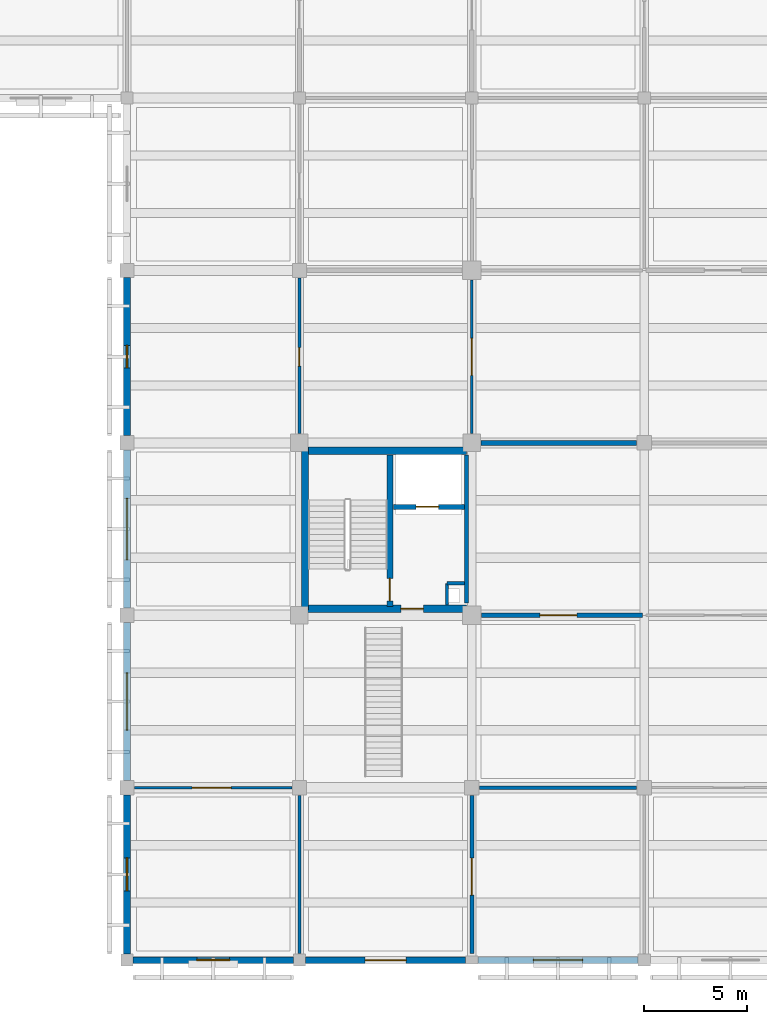
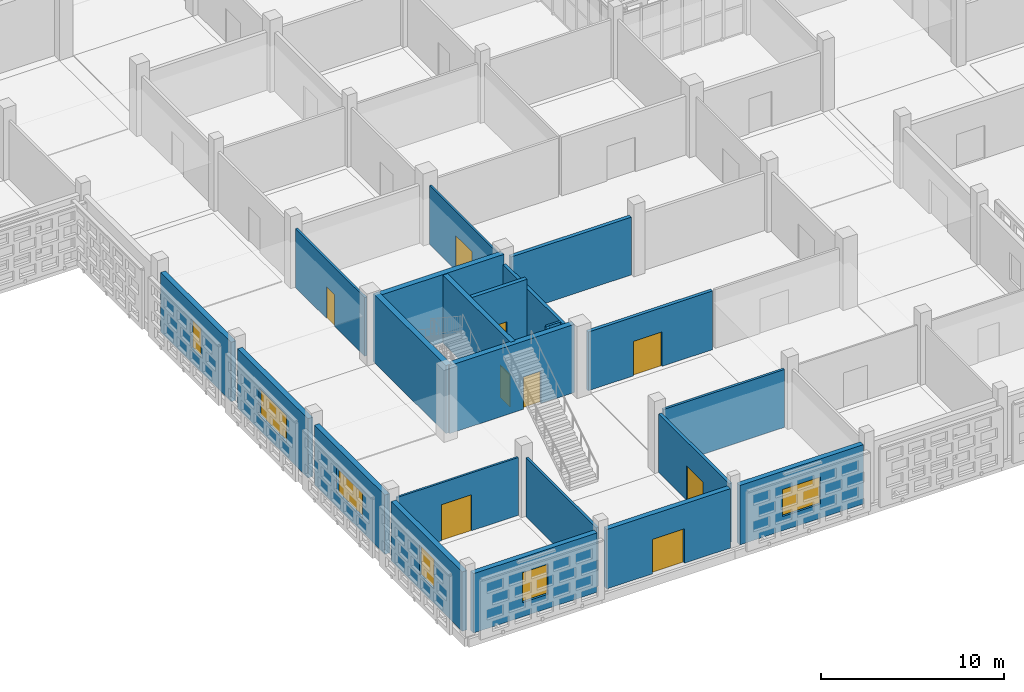
# One storey, part 57 of 129: 23 walls, 9 doors, 6 windows, 15 openings.
"""IFC4 building model written with IfcOpenShell, lengths in metres."""

from ifc_helpers import new_model, si_unit, direction, frame, frame_2d, origin, place, context, subcontext, project, spatial, rectangle, extrude, material, layer, layer_set, type_object, element, fill, save


model = new_model("IFC4")

# Units and contexts
model_context = context("Model", 3, precision=1e-05, world=origin(), true_north=direction((0.0, 1.0)))
body_context = subcontext(model_context, "Body", "Model", "MODEL_VIEW")
ifc_project = project(units=[si_unit("LENGTHUNIT", "METRE"), si_unit("AREAUNIT", "SQUARE_METRE"), si_unit("VOLUMEUNIT", "CUBIC_METRE"), si_unit("PLANEANGLEUNIT", "RADIAN"), si_unit("MASSUNIT", "GRAM", prefix="KILO")], contexts=[model_context])

# Site, building, storey
site_placement = place(None, origin())
site = spatial("IfcSite", under=ifc_project, at=site_placement, CompositionType="ELEMENT")
building_placement = place(site_placement, origin())
building = spatial("IfcBuilding", under=site, at=building_placement, Name="Varnapada Polytechnic", CompositionType="ELEMENT")
storey_placement = place(building_placement, origin())
storey = spatial("IfcBuildingStorey", under=building, at=storey_placement, Name="L00", CompositionType="ELEMENT", Elevation=0.0)

# Walls
ifc_material_1 = material(Name="Autoclaved Aerated Concrete Block AAC-600", Category="concrete")
ifc_layer_1 = layer(ifc_material_1, 0.199951171875)
ifc_layer_set_1 = layer_set([ifc_layer_1], Name="Autoclaved Aerated Concrete Block AAC-600")
wall_type_1 = type_object("IfcWallType", Name="Interior Wall IW-01", PredefinedType="PARTITIONING", material=ifc_layer_set_1)
wall_1_placement = place(storey_placement, frame((24.93994140625, 24.60009765625, 0.0), z_axis=(0.0, 0.0, 1.0), x_axis=(0.0, -1.0, 0.0)))
element("IfcWall", 1, at=wall_1_placement, inside=storey, type_object=wall_type_1, Name="L00 C3 firefighting lobby east wall", PredefinedType="PARTITIONING", context=body_context, shape_type="SweptSolid", body=[
    extrude(rectangle(XDim=7.2001953125, YDim=0.199951171875, at=frame_2d((3.60009765625, 0.0))), origin(), (0.0, 0.0, 1.0), 3.919921875),
])
ifc_layer_2 = layer(ifc_material_1, 0.14990234375)
ifc_layer_set_2 = layer_set([ifc_layer_2], Name="Autoclaved Aerated Concrete Block AAC-600")
wall_type_2 = type_object("IfcWallType", Name="Interior Wall IW-02", PredefinedType="PARTITIONING", material=ifc_layer_set_2)
wall_2_placement = place(storey_placement, frame((23.97998046875, 18.360107421875, 0.0), z_axis=(0.0, 0.0, 1.0), x_axis=(0.0, -1.0, 0.0)))
element("IfcWall", 2, at=wall_2_placement, inside=storey, type_object=wall_type_2, Name="L00 C3 riser shaft west wall", PredefinedType="PARTITIONING", context=body_context, shape_type="SweptSolid", body=[
    extrude(rectangle(XDim=1.06005859375, YDim=0.14990234375, at=frame_2d((0.530029296875, 0.0))), origin(), (0.0, 0.0, 1.0), 3.919921875),
])
wall_3_placement = place(storey_placement, frame((23.97998046875, 18.360107421875, 0.0), z_axis=(0.0, 0.0, 1.0), x_axis=(1.0, 0.0, 0.0)))
element("IfcWall", 3, at=wall_3_placement, inside=storey, type_object=wall_type_2, Name="L00 C3 riser shaft north wall", PredefinedType="PARTITIONING", context=body_context, shape_type="SweptSolid", body=[
    extrude(rectangle(XDim=0.860107421875, YDim=0.14990234375, at=frame_2d((0.43017578125, 0.0))), origin(), (0.0, 0.0, 1.0), 3.919921875),
])
wall_4_placement = place(storey_placement, frame((16.800048828125, 0.320068359375, 0.0), z_axis=(0.0, 0.0, 1.0), x_axis=(0.0, 1.0, 0.0)))
element("IfcWall", 4, at=wall_4_placement, inside=storey, type_object=wall_type_2, Name="L00 interior partition IW-L00-01-00-V", PredefinedType="PARTITIONING", context=body_context, shape_type="SweptSolid", body=[
    extrude(rectangle(XDim=7.7099609375, YDim=0.14990234375, at=frame_2d((3.85498046875, 0.0))), origin(), (0.0, 0.0, 1.0), 3.919921875),
])

# Wall, opening, door
ifc_material_2 = material(Name="Gypsum Plasterboard Acoustic Partition")
ifc_layer_3 = layer(ifc_material_2, 0.125)
ifc_layer_set_3 = layer_set([ifc_layer_3], Name="Gypsum Plasterboard Acoustic Partition")
wall_type_3 = type_object("IfcWallType", Name="Interior Wall IW-03", PredefinedType="PARTITIONING", material=ifc_layer_set_3)
wall_5_placement = place(storey_placement, frame((8.77001953125, 8.39990234375, 0.0), z_axis=(0.0, 0.0, 1.0), x_axis=(1.0, 0.0, 0.0)))
wall_5 = element("IfcWall", 5, at=wall_5_placement, inside=storey, type_object=wall_type_3, Name="L00 interior partition IW-L00-01-00-H", PredefinedType="PARTITIONING", context=body_context, shape_type="SweptSolid", body=[
    extrude(rectangle(XDim=7.659912109375, YDim=0.125, at=frame_2d((3.830078125, 0.0))), origin(), (0.0, 0.0, 1.0), 3.860107421875),
])
opening_1_placement = place(wall_5_placement, frame((2.800048828125, 0.0, 0.0)))
opening_1 = element("IfcOpeningElement", 6, at=opening_1_placement, cuts=wall_5, Name="Opening D-828", PredefinedType="OPENING", context=body_context, shape_type="SweptSolid", body=[
    extrude(rectangle(XDim=1.89990234375, YDim=2.39990234375, at=frame_2d((0.949951171875, 1.199951171875))), frame((0.0, 0.072509765625, 0.0), z_axis=(0.0, -1.0, 0.0), x_axis=(1.0, 0.0, 0.0)), (0.0, 0.0, 1.0), 0.14501953125),
])
ifc_material_3 = material(Name="Heavy Workshop Double Steel Door", Category="steel")
door_type_1 = type_object("IfcDoorType", Name="Interior Door ID-14", OperationType="NOTDEFINED", PredefinedType="DOOR", material=ifc_material_3)
door_1_placement = place(opening_1_placement, origin())
door_1 = element("IfcDoor", 7, at=door_1_placement, inside=storey, type_object=door_type_1, Name="L00 interior room door D-828", OperationType="SINGLE_SWING_LEFT", OverallHeight=2.39990234375, OverallWidth=1.89990234375, PredefinedType="DOOR", context=body_context, shape_type="SweptSolid", body=[
    extrude(rectangle(XDim=1.89990234375, YDim=2.39990234375, at=frame_2d((0.949951171875, 1.199951171875))), frame((0.0, 0.02490234375, 0.0), z_axis=(0.0, -1.0, 0.0), x_axis=(1.0, 0.0, 0.0)), (0.0, 0.0, 1.0), 0.050048828125),
])
fill(opening_1, door_1)

ifc_material_4 = material(Name="Moisture-Resistant Cement Board Partition")
ifc_layer_4 = layer(ifc_material_4, 0.139892578125)
ifc_layer_set_4 = layer_set([ifc_layer_4], Name="Moisture-Resistant Cement Board Partition")
wall_type_4 = type_object("IfcWallType", Name="Interior Wall IW-04", PredefinedType="PARTITIONING", material=ifc_layer_set_4)
wall_6_placement = place(storey_placement, frame((16.800048828125, 25.64501953125, 0.0), z_axis=(0.0, 0.0, 1.0), x_axis=(0.0, 1.0, 0.0)))
wall_6 = element("IfcWall", 8, at=wall_6_placement, inside=storey, type_object=wall_type_4, Name="L00 interior partition IW-L00-01-03-V", PredefinedType="PARTITIONING", context=body_context, shape_type="SweptSolid", body=[
    extrude(rectangle(XDim=7.5849609375, YDim=0.139892578125, at=frame_2d((3.79248046875, 0.0))), origin(), (0.0, 0.0, 1.0), 3.919921875),
])
opening_2_placement = place(wall_6_placement, frame((3.300048828125, 0.0, 0.0)))
opening_2 = element("IfcOpeningElement", 9, at=opening_2_placement, cuts=wall_6, Name="Opening D-829", PredefinedType="OPENING", context=body_context, shape_type="SweptSolid", body=[
    extrude(rectangle(XDim=0.89990234375, YDim=2.10009765625, at=frame_2d((0.449951171875, 1.050048828125))), frame((0.0, 0.079833984375, 0.0), z_axis=(0.0, -1.0, 0.0), x_axis=(1.0, 0.0, 0.0)), (0.0, 0.0, 1.0), 0.159912109375),
])
ifc_material_5 = material(Name="Moisture-Resistant HPL Timber", Category="wood")
door_type_2 = type_object("IfcDoorType", Name="Interior Door ID-15", OperationType="NOTDEFINED", PredefinedType="DOOR", material=ifc_material_5)
door_2_placement = place(opening_2_placement, origin())
door_2 = element("IfcDoor", 10, at=door_2_placement, inside=storey, type_object=door_type_2, Name="L00 interior room door D-829", OperationType="SINGLE_SWING_RIGHT", OverallHeight=2.10009765625, OverallWidth=0.89990234375, PredefinedType="DOOR", context=body_context, shape_type="SweptSolid", body=[
    extrude(rectangle(XDim=0.89990234375, YDim=2.10009765625, at=frame_2d((0.449951171875, 1.050048828125))), frame((0.0, 0.02490234375, 0.0), z_axis=(0.0, -1.0, 0.0), x_axis=(1.0, 0.0, 0.0)), (0.0, 0.0, 1.0), 0.050048828125),
])
fill(opening_2, door_2)

ifc_material_6 = material(Name="Insulated Masonry Plant Room Wall", Category="masonry")
ifc_layer_5 = layer(ifc_material_6, 0.18994140625)
ifc_layer_set_5 = layer_set([ifc_layer_5], Name="Insulated Masonry Plant Room Wall")
wall_type_5 = type_object("IfcWallType", Name="Interior Wall IW-11", PredefinedType="PARTITIONING", material=ifc_layer_set_5)
wall_7_placement = place(storey_placement, frame((25.199951171875, 0.320068359375, 0.0), z_axis=(0.0, 0.0, 1.0), x_axis=(0.0, 1.0, 0.0)))
wall_7 = element("IfcWall", 11, at=wall_7_placement, inside=storey, type_object=wall_type_5, Name="L00 interior partition IW-L00-02-00-V", PredefinedType="PARTITIONING", context=body_context, shape_type="SweptSolid", body=[
    extrude(rectangle(XDim=7.7099609375, YDim=0.18994140625, at=frame_2d((3.85498046875, 0.0))), origin(), (0.0, 0.0, 1.0), 3.919921875),
])
opening_3_placement = place(wall_7_placement, frame((2.85009765625, 0.0, 0.0)))
opening_3 = element("IfcOpeningElement", 12, at=opening_3_placement, cuts=wall_7, Name="Opening D-835", PredefinedType="OPENING", context=body_context, shape_type="SweptSolid", body=[
    extrude(rectangle(XDim=1.800048828125, YDim=2.300048828125, at=frame_2d((0.89990234375, 1.14990234375))), frame((0.0, 0.10498046875, 0.0), z_axis=(0.0, -1.0, 0.0), x_axis=(1.0, 0.0, 0.0)), (0.0, 0.0, 1.0), 0.2099609375),
])
ifc_material_7 = material(Name="Acoustic Double Timber Leaf", Category="wood")
door_type_3 = type_object("IfcDoorType", Name="Interior Door ID-04", OperationType="NOTDEFINED", PredefinedType="DOOR", material=ifc_material_7)
door_3_placement = place(opening_3_placement, origin())
door_3 = element("IfcDoor", 13, at=door_3_placement, inside=storey, type_object=door_type_3, Name="L00 interior room door D-835", OperationType="SINGLE_SWING_RIGHT", OverallHeight=2.300048828125, OverallWidth=1.800048828125, PredefinedType="DOOR", context=body_context, shape_type="SweptSolid", body=[
    extrude(rectangle(XDim=1.800048828125, YDim=2.300048828125, at=frame_2d((0.89990234375, 1.14990234375))), frame((0.0, 0.02490234375, 0.0), z_axis=(0.0, -1.0, 0.0), x_axis=(1.0, 0.0, 0.0)), (0.0, 0.0, 1.0), 0.050048828125),
])
fill(opening_3, door_3)

ifc_material_8 = material(Name="Timber-Stud Studio Critique Partition", Category="wood")
ifc_layer_6 = layer(ifc_material_8, 0.114990234375)
ifc_layer_set_6 = layer_set([ifc_layer_6], Name="Timber-Stud Studio Critique Partition")
wall_type_6 = type_object("IfcWallType", Name="Interior Wall IW-12", PredefinedType="PARTITIONING", material=ifc_layer_set_6)
wall_8_placement = place(storey_placement, frame((25.199951171875, 25.64501953125, 0.0), z_axis=(0.0, 0.0, 1.0), x_axis=(0.0, 1.0, 0.0)))
wall_8 = element("IfcWall", 14, at=wall_8_placement, inside=storey, type_object=wall_type_6, Name="L00 interior partition IW-L00-02-03-V", PredefinedType="PARTITIONING", context=body_context, shape_type="SweptSolid", body=[
    extrude(rectangle(XDim=7.48486328125, YDim=0.114990234375, at=frame_2d((3.742431640625, 0.0))), origin(), (0.0, 0.0, 1.0), 3.919921875),
])
opening_4_placement = place(wall_8_placement, frame((2.85009765625, 0.0, 0.0)))
opening_4 = element("IfcOpeningElement", 15, at=opening_4_placement, cuts=wall_8, Name="Opening D-836", PredefinedType="OPENING", context=body_context, shape_type="SweptSolid", body=[
    extrude(rectangle(XDim=1.800048828125, YDim=2.300048828125, at=frame_2d((0.89990234375, 1.14990234375))), frame((0.0, 0.0673828125, 0.0), z_axis=(0.0, -1.0, 0.0), x_axis=(1.0, 0.0, 0.0)), (0.0, 0.0, 1.0), 0.135009765625),
])
door_4_placement = place(opening_4_placement, frame((1.800048828125, 0.0, 0.0), z_axis=(0.0, 0.0, 1.0), x_axis=(-1.0, 0.0, 0.0)))
door_4 = element("IfcDoor", 16, at=door_4_placement, inside=storey, type_object=door_type_3, Name="L00 interior room door D-836", OperationType="SINGLE_SWING_LEFT", OverallHeight=2.300048828125, OverallWidth=1.800048828125, PredefinedType="DOOR", context=body_context, shape_type="SweptSolid", body=[
    extrude(rectangle(XDim=1.800048828125, YDim=2.300048828125, at=frame_2d((0.89990234375, 1.14990234375))), frame((0.0, 0.02490234375, 0.0), z_axis=(0.0, -1.0, 0.0), x_axis=(1.0, 0.0, 0.0)), (0.0, 0.0, 1.0), 0.050048828125),
])
fill(opening_4, door_4)

# Wall
ifc_material_9 = material(Name="Perforated Timber-Lined Seminar Wall", Category="wood")
ifc_layer_7 = layer(ifc_material_9, 0.155029296875)
ifc_layer_set_7 = layer_set([ifc_layer_7], Name="Perforated Timber-Lined Seminar Wall")
wall_type_7 = type_object("IfcWallType", Name="Interior Wall IW-15", PredefinedType="PARTITIONING", material=ifc_layer_set_7)
wall_9_placement = place(storey_placement, frame((25.570068359375, 8.39990234375, 0.0), z_axis=(0.0, 0.0, 1.0), x_axis=(1.0, 0.0, 0.0)))
element("IfcWall", 17, at=wall_9_placement, inside=storey, type_object=wall_type_7, Name="L00 interior partition IW-L00-03-00-H", PredefinedType="PARTITIONING", context=body_context, shape_type="SweptSolid", body=[
    extrude(rectangle(XDim=7.659912109375, YDim=0.155029296875, at=frame_2d((3.830078125, 0.0))), origin(), (0.0, 0.0, 1.0), 3.860107421875),
])

# Wall, opening, door
ifc_material_10 = material(Name="Heavy Masonry Workshop Partition", Category="masonry")
ifc_layer_8 = layer(ifc_material_10, 0.2099609375)
ifc_layer_set_8 = layer_set([ifc_layer_8], Name="Heavy Masonry Workshop Partition")
wall_type_8 = type_object("IfcWallType", Name="Interior Wall IW-16", PredefinedType="PARTITIONING", material=ifc_layer_set_8)
wall_10_placement = place(storey_placement, frame((25.669921875, 16.800048828125, 0.0), z_axis=(0.0, 0.0, 1.0), x_axis=(1.0, 0.0, 0.0)))
wall_10 = element("IfcWall", 18, at=wall_10_placement, inside=storey, type_object=wall_type_8, Name="L00 interior partition IW-L00-03-01-H", PredefinedType="PARTITIONING", context=body_context, shape_type="SweptSolid", body=[
    extrude(rectangle(XDim=7.844970703125, YDim=0.2099609375, at=frame_2d((3.92236328125, 0.0))), origin(), (0.0, 0.0, 1.0), 3.919921875),
])
opening_5_placement = place(wall_10_placement, frame((2.85009765625, 0.0, 0.0)))
opening_5 = element("IfcOpeningElement", 19, at=opening_5_placement, cuts=wall_10, Name="Opening D-846", PredefinedType="OPENING", context=body_context, shape_type="SweptSolid", body=[
    extrude(rectangle(XDim=1.800048828125, YDim=2.300048828125, at=frame_2d((0.89990234375, 1.14990234375))), frame((0.0, 0.114990234375, 0.0), z_axis=(0.0, -1.0, 0.0), x_axis=(1.0, 0.0, 0.0)), (0.0, 0.0, 1.0), 0.22998046875),
])
door_5_placement = place(opening_5_placement, origin())
door_5 = element("IfcDoor", 20, at=door_5_placement, inside=storey, type_object=door_type_3, Name="L00 interior room door D-846", OperationType="SINGLE_SWING_LEFT", OverallHeight=2.300048828125, OverallWidth=1.800048828125, PredefinedType="DOOR", context=body_context, shape_type="SweptSolid", body=[
    extrude(rectangle(XDim=1.800048828125, YDim=2.300048828125, at=frame_2d((0.89990234375, 1.14990234375))), frame((0.0, 0.02490234375, 0.0), z_axis=(0.0, -1.0, 0.0), x_axis=(1.0, 0.0, 0.0)), (0.0, 0.0, 1.0), 0.050048828125),
])
fill(opening_5, door_5)

# Walls
ifc_material_11 = material(Name="Double-Leaf Acoustic Lecture Wall")
ifc_layer_9 = layer(ifc_material_11, 0.235107421875)
ifc_layer_set_9 = layer_set([ifc_layer_9], Name="Double-Leaf Acoustic Lecture Wall")
wall_type_9 = type_object("IfcWallType", Name="Interior Wall IW-17", PredefinedType="PARTITIONING", material=ifc_layer_set_9)
wall_11_placement = place(storey_placement, frame((25.64501953125, 25.199951171875, 0.0), z_axis=(0.0, 0.0, 1.0), x_axis=(1.0, 0.0, 0.0)))
element("IfcWall", 21, at=wall_11_placement, inside=storey, type_object=wall_type_9, Name="L00 interior partition IW-L00-03-02-H", PredefinedType="PARTITIONING", context=body_context, shape_type="SweptSolid", body=[
    extrude(rectangle(XDim=7.5849609375, YDim=0.235107421875, at=frame_2d((3.79248046875, 0.0))), origin(), (0.0, 0.0, 1.0), 3.85009765625),
])
ifc_material_12 = material(Name="Concrete C40/50", Category="concrete")
ifc_layer_10 = layer(ifc_material_12, 0.35009765625)
ifc_layer_set_10 = layer_set([ifc_layer_10], Name="Concrete C40/50")
wall_type_10 = type_object("IfcWallType", Name="Interior Wall SW-01", PredefinedType="SHEAR", material=ifc_layer_set_10)
wall_12_placement = place(storey_placement, frame((17.06494140625, 17.050048828125, 0.0), z_axis=(0.0, 0.0, 1.0), x_axis=(0.0, 1.0, 0.0)))
element("IfcWall", 22, at=wall_12_placement, inside=storey, type_object=wall_type_10, Name="L00 C3 stair west shear wall", PredefinedType="SHEAR", context=body_context, shape_type="SweptSolid", body=[
    extrude(rectangle(XDim=7.93994140625, YDim=0.35009765625, at=frame_2d((3.969970703125, 0.0))), origin(), (0.0, 0.0, 1.0), 4.5400390625),
])
wall_13_placement = place(storey_placement, frame((17.06494140625, 24.820068359375, 0.0), z_axis=(0.0, 0.0, 1.0), x_axis=(1.0, 0.0, 0.0)))
element("IfcWall", 23, at=wall_13_placement, inside=storey, type_object=wall_type_10, Name="L00 C3 core north shear wall", PredefinedType="SHEAR", context=body_context, shape_type="SweptSolid", body=[
    extrude(rectangle(XDim=7.875, YDim=0.35009765625, at=frame_2d((3.9375, 0.0))), origin(), (0.0, 0.0, 1.0), 4.5400390625),
])

# Wall, opening, door
wall_14_placement = place(storey_placement, frame((24.93994140625, 17.1201171875, 0.0), z_axis=(0.0, 0.0, 1.0), x_axis=(-1.0, 0.0, 0.0)))
wall_14 = element("IfcWall", 24, at=wall_14_placement, inside=storey, type_object=wall_type_10, Name="L00 C3 core south shear wall", PredefinedType="SHEAR", context=body_context, shape_type="SweptSolid", body=[
    extrude(rectangle(XDim=7.875, YDim=0.35009765625, at=frame_2d((3.9375, 0.0))), origin(), (0.0, 0.0, 1.0), 4.5400390625),
])
opening_6_placement = place(wall_14_placement, frame((2.10009765625, 0.0, 0.0)))
opening_6 = element("IfcOpeningElement", 25, at=opening_6_placement, cuts=wall_14, Name="Opening D-812", PredefinedType="OPENING", context=body_context, shape_type="SweptSolid", body=[
    extrude(rectangle(XDim=1.10009765625, YDim=2.14990234375, at=frame_2d((0.550048828125, 1.074951171875))), frame((0.0, 0.18505859375, 0.0), z_axis=(0.0, -1.0, 0.0), x_axis=(1.0, 0.0, 0.0)), (0.0, 0.0, 1.0), 0.3701171875),
])
ifc_material_13 = material(Name="Galvanized Steel Z275", Category="steel")
door_type_4 = type_object("IfcDoorType", Name="Interior Door ID-01", OperationType="NOTDEFINED", PredefinedType="DOOR", material=ifc_material_13)
door_6_placement = place(opening_6_placement, origin())
door_6 = element("IfcDoor", 26, at=door_6_placement, inside=storey, type_object=door_type_4, Name="L00 C3 lobby fire door D-812", OperationType="SINGLE_SWING_RIGHT", OverallHeight=2.14990234375, OverallWidth=1.10009765625, PredefinedType="DOOR", context=body_context, shape_type="SweptSolid", body=[
    extrude(rectangle(XDim=1.10009765625, YDim=2.14990234375, at=frame_2d((0.550048828125, 1.074951171875))), frame((0.0, 0.02490234375, 0.0), z_axis=(0.0, -1.0, 0.0), x_axis=(1.0, 0.0, 0.0)), (0.0, 0.0, 1.0), 0.050048828125),
])
fill(opening_6, door_6)

ifc_layer_11 = layer(ifc_material_12, 0.300048828125)
ifc_layer_set_11 = layer_set([ifc_layer_11], Name="Concrete C40/50")
wall_type_11 = type_object("IfcWallType", Name="Interior Wall SW-02", PredefinedType="SHEAR", material=ifc_layer_set_11)
wall_15_placement = place(storey_placement, frame((21.2099609375, 17.219970703125, 0.0), z_axis=(0.0, 0.0, 1.0), x_axis=(0.0, 1.0, 0.0)))
wall_15 = element("IfcWall", 27, at=wall_15_placement, inside=storey, type_object=wall_type_11, Name="L00 C3 stair-lobby dividing shear wall", PredefinedType="SHEAR", context=body_context, shape_type="SweptSolid", body=[
    extrude(rectangle(XDim=7.380126953125, YDim=0.300048828125, at=frame_2d((3.68994140625, 0.0))), origin(), (0.0, 0.0, 1.0), 4.5400390625),
])
opening_7_placement = place(wall_15_placement, frame((0.280029296875, 0.0, 0.0)))
opening_7 = element("IfcOpeningElement", 28, at=opening_7_placement, cuts=wall_15, Name="Opening D-813", PredefinedType="OPENING", context=body_context, shape_type="SweptSolid", body=[
    extrude(rectangle(XDim=1.10009765625, YDim=2.14990234375, at=frame_2d((0.550048828125, 1.074951171875))), frame((0.0, 0.159912109375, 0.0), z_axis=(0.0, -1.0, 0.0), x_axis=(1.0, 0.0, 0.0)), (0.0, 0.0, 1.0), 0.320068359375),
])
door_7_placement = place(opening_7_placement, frame((1.10009765625, 0.0, 0.0), z_axis=(0.0, 0.0, 1.0), x_axis=(-1.0, 0.0, 0.0)))
door_7 = element("IfcDoor", 29, at=door_7_placement, inside=storey, type_object=door_type_4, Name="L00 C3 exit stair door D-813", OperationType="SINGLE_SWING_RIGHT", OverallHeight=2.14990234375, OverallWidth=1.10009765625, PredefinedType="DOOR", context=body_context, shape_type="SweptSolid", body=[
    extrude(rectangle(XDim=1.10009765625, YDim=2.14990234375, at=frame_2d((0.550048828125, 1.074951171875))), frame((0.0, 0.02490234375, 0.0), z_axis=(0.0, -1.0, 0.0), x_axis=(1.0, 0.0, 0.0)), (0.0, 0.0, 1.0), 0.050048828125),
])
fill(opening_7, door_7)

ifc_layer_12 = layer(ifc_material_12, 0.25)
ifc_layer_set_12 = layer_set([ifc_layer_12], Name="Concrete C40/50")
wall_type_12 = type_object("IfcWallType", Name="Interior Wall SW-05", PredefinedType="SHEAR", material=ifc_layer_set_12)
wall_16_placement = place(storey_placement, frame((21.3798828125, 22.080078125, 0.0), z_axis=(0.0, 0.0, 1.0), x_axis=(1.0, 0.0, 0.0)))
wall_16 = element("IfcWall", 30, at=wall_16_placement, inside=storey, type_object=wall_type_12, Name="L00 C3 lift shaft front wall", PredefinedType="SHEAR", context=body_context, shape_type="SweptSolid", body=[
    extrude(rectangle(XDim=3.460205078125, YDim=0.25, at=frame_2d((1.72998046875, 0.0))), origin(), (0.0, 0.0, 1.0), 4.5400390625),
])
opening_8_placement = place(wall_16_placement, frame((1.10009765625, 0.0, 0.0)))
opening_8 = element("IfcOpeningElement", 31, at=opening_8_placement, cuts=wall_16, Name="Opening LD-009", PredefinedType="OPENING", context=body_context, shape_type="SweptSolid", body=[
    extrude(rectangle(XDim=1.10009765625, YDim=2.14990234375, at=frame_2d((0.550048828125, 1.074951171875))), frame((0.0, 0.135009765625, 0.0), z_axis=(0.0, -1.0, 0.0), x_axis=(1.0, 0.0, 0.0)), (0.0, 0.0, 1.0), 0.27001953125),
])
ifc_material_14 = material(Name="Brushed Stainless Steel 316", Category="steel")
door_type_5 = type_object("IfcDoorType", Name="Interior Door LD-01", OperationType="NOTDEFINED", PredefinedType="DOOR", material=ifc_material_14)
door_8_placement = place(opening_8_placement, origin())
door_8 = element("IfcDoor", 32, at=door_8_placement, inside=storey, type_object=door_type_5, Name="L00 LFT-03 sliding lift landing door LD-009", OperationType="DOUBLE_DOOR_SLIDING", OverallHeight=2.14990234375, OverallWidth=1.10009765625, PredefinedType="DOOR", context=body_context, shape_type="SweptSolid", body=[
    extrude(rectangle(XDim=1.10009765625, YDim=2.14990234375, at=frame_2d((0.550048828125, 1.074951171875))), frame((0.0, 0.02490234375, 0.0), z_axis=(0.0, -1.0, 0.0), x_axis=(1.0, 0.0, 0.0)), (0.0, 0.0, 1.0), 0.050048828125),
])
fill(opening_8, door_8)

# Wall, opening, window
ifc_material_15 = material(Name="Precast concrete C40/50", Category="concrete")
ifc_layer_13 = layer(ifc_material_15, 0.320068359375)
ifc_layer_set_13 = layer_set([ifc_layer_13], Name="Precast concrete C40/50")
wall_type_13 = type_object("IfcWallType", Name="Wall EW-04", PredefinedType="SOLIDWALL", material=ifc_layer_set_13)
wall_17_placement = place(storey_placement, frame((16.5, 0.0, 0.0), z_axis=(0.0, 0.0, 1.0), x_axis=(-1.0, 0.0, 0.0)))
wall_17 = element("IfcWall", 33, at=wall_17_placement, inside=storey, type_object=wall_type_13, Name="L00 exterior wall EW-04 (13)", PredefinedType="SOLIDWALL", context=body_context, shape_type="SweptSolid", body=[
    extrude(rectangle(XDim=7.800048828125, YDim=0.320068359375, at=frame_2d((3.89990234375, 0.0))), origin(), (0.0, 0.0, 1.0), 3.9599609375),
])
opening_9_placement = place(wall_17_placement, frame((3.10009765625, 0.0, 0.949951171875)))
opening_9 = element("IfcOpeningElement", 34, at=opening_9_placement, cuts=wall_17, Name="Opening WN-08", PredefinedType="OPENING", context=body_context, shape_type="SweptSolid", body=[
    extrude(rectangle(XDim=1.60009765625, YDim=2.0, at=frame_2d((0.800048828125, 1.0))), frame((0.0, 0.169921875, 0.0), z_axis=(0.0, -1.0, 0.0), x_axis=(1.0, 0.0, 0.0)), (0.0, 0.0, 1.0), 0.340087890625),
])
ifc_material_16 = material(Name="Double low-E laminated glass", Category="glass")
window_type_1 = type_object("IfcWindowType", Name="Window WN-08", PartitioningType="SINGLE_PANEL", PredefinedType="WINDOW", material=ifc_material_16)
window_1_placement = place(opening_9_placement, origin())
window_1 = element("IfcWindow", 35, at=window_1_placement, inside=storey, type_object=window_type_1, Name="L00 window WN-08 (9)", OverallHeight=2.0, OverallWidth=1.60009765625, PartitioningType="SINGLE_PANEL", PredefinedType="WINDOW", context=body_context, shape_type="SweptSolid", body=[
    extrude(rectangle(XDim=1.60009765625, YDim=2.0, at=frame_2d((0.800048828125, 1.0))), frame((0.0, 0.030029296875, 0.0), z_axis=(0.0, -1.0, 0.0), x_axis=(1.0, 0.0, 0.0)), (0.0, 0.0, 1.0), 0.06005859375),
])
fill(opening_9, window_1)

wall_18_placement = place(storey_placement, frame((8.39990234375, 0.300048828125, 0.0), z_axis=(0.0, 0.0, 1.0), x_axis=(0.0, 1.0, 0.0)))
wall_18 = element("IfcWall", 36, at=wall_18_placement, inside=storey, type_object=wall_type_13, Name="L00 exterior wall EW-04 (14)", PredefinedType="SOLIDWALL", context=body_context, shape_type="SweptSolid", body=[
    extrude(rectangle(XDim=7.75, YDim=0.320068359375, at=frame_2d((3.875, 0.0))), origin(), (0.0, 0.0, 1.0), 3.9599609375),
])
opening_10_placement = place(wall_18_placement, frame((3.074951171875, 0.0, 0.949951171875)))
opening_10 = element("IfcOpeningElement", 37, at=opening_10_placement, cuts=wall_18, Name="Opening WN-08", PredefinedType="OPENING", context=body_context, shape_type="SweptSolid", body=[
    extrude(rectangle(XDim=1.60009765625, YDim=2.0, at=frame_2d((0.800048828125, 1.0))), frame((0.0, 0.169921875, 0.0), z_axis=(0.0, -1.0, 0.0), x_axis=(1.0, 0.0, 0.0)), (0.0, 0.0, 1.0), 0.340087890625),
])
window_2_placement = place(opening_10_placement, origin())
window_2 = element("IfcWindow", 38, at=window_2_placement, inside=storey, type_object=window_type_1, Name="L00 window WN-08 (10)", OverallHeight=2.0, OverallWidth=1.60009765625, PartitioningType="SINGLE_PANEL", PredefinedType="WINDOW", context=body_context, shape_type="SweptSolid", body=[
    extrude(rectangle(XDim=1.60009765625, YDim=2.0, at=frame_2d((0.800048828125, 1.0))), frame((0.0, 0.030029296875, 0.0), z_axis=(0.0, -1.0, 0.0), x_axis=(1.0, 0.0, 0.0)), (0.0, 0.0, 1.0), 0.06005859375),
])
fill(opening_10, window_2)

wall_19_placement = place(storey_placement, frame((8.39990234375, 8.75, 0.0), z_axis=(0.0, 0.0, 1.0), x_axis=(0.0, 1.0, 0.0)))
wall_19 = element("IfcWall", 39, at=wall_19_placement, inside=storey, type_object=wall_type_13, Name="L00 exterior wall EW-04 (15)", PredefinedType="SOLIDWALL", context=body_context, shape_type="SweptSolid", body=[
    extrude(rectangle(XDim=7.699951171875, YDim=0.320068359375, at=frame_2d((3.85009765625, 0.0))), origin(), (0.0, 0.0, 1.0), 3.9599609375),
])
opening_11_placement = place(wall_19_placement, frame((2.449951171875, 0.0, 0.949951171875)))
opening_11 = element("IfcOpeningElement", 40, at=opening_11_placement, cuts=wall_19, Name="Opening WN-13", PredefinedType="OPENING", context=body_context, shape_type="SweptSolid", body=[
    extrude(rectangle(XDim=2.800048828125, YDim=1.64990234375, at=frame_2d((1.39990234375, 0.824951171875))), frame((0.0, 0.169921875, 0.0), z_axis=(0.0, -1.0, 0.0), x_axis=(1.0, 0.0, 0.0)), (0.0, 0.0, 1.0), 0.340087890625),
])
window_type_2 = type_object("IfcWindowType", Name="Window WN-13", PartitioningType="SINGLE_PANEL", PredefinedType="WINDOW", material=ifc_material_16)
window_3_placement = place(opening_11_placement, origin())
window_3 = element("IfcWindow", 41, at=window_3_placement, inside=storey, type_object=window_type_2, Name="L00 window WN-13 (11)", OverallHeight=1.64990234375, OverallWidth=2.800048828125, PartitioningType="SINGLE_PANEL", PredefinedType="WINDOW", context=body_context, shape_type="SweptSolid", body=[
    extrude(rectangle(XDim=2.800048828125, YDim=1.64990234375, at=frame_2d((1.39990234375, 0.824951171875))), frame((0.0, 0.030029296875, 0.0), z_axis=(0.0, -1.0, 0.0), x_axis=(1.0, 0.0, 0.0)), (0.0, 0.0, 1.0), 0.06005859375),
])
fill(opening_11, window_3)

wall_20_placement = place(storey_placement, frame((8.39990234375, 17.14990234375, 0.0), z_axis=(0.0, 0.0, 1.0), x_axis=(0.0, 1.0, 0.0)))
wall_20 = element("IfcWall", 42, at=wall_20_placement, inside=storey, type_object=wall_type_13, Name="L00 exterior wall EW-04 (16)", PredefinedType="SOLIDWALL", context=body_context, shape_type="SweptSolid", body=[
    extrude(rectangle(XDim=7.7001953125, YDim=0.320068359375, at=frame_2d((3.85009765625, 0.0))), origin(), (0.0, 0.0, 1.0), 3.9599609375),
])
opening_12_placement = place(wall_20_placement, frame((2.35009765625, 0.0, 0.949951171875)))
opening_12 = element("IfcOpeningElement", 43, at=opening_12_placement, cuts=wall_20, Name="Opening WN-14", PredefinedType="OPENING", context=body_context, shape_type="SweptSolid", body=[
    extrude(rectangle(XDim=3.0, YDim=1.800048828125, at=frame_2d((1.5, 0.89990234375))), frame((0.0, 0.169921875, 0.0), z_axis=(0.0, -1.0, 0.0), x_axis=(1.0, 0.0, 0.0)), (0.0, 0.0, 1.0), 0.340087890625),
])
window_type_3 = type_object("IfcWindowType", Name="Window WN-14", PartitioningType="SINGLE_PANEL", PredefinedType="WINDOW", material=ifc_material_16)
window_4_placement = place(opening_12_placement, origin())
window_4 = element("IfcWindow", 44, at=window_4_placement, inside=storey, type_object=window_type_3, Name="L00 window WN-14 (12)", OverallHeight=1.800048828125, OverallWidth=3.0, PartitioningType="SINGLE_PANEL", PredefinedType="WINDOW", context=body_context, shape_type="SweptSolid", body=[
    extrude(rectangle(XDim=3.0, YDim=1.800048828125, at=frame_2d((1.5, 0.89990234375))), frame((0.0, 0.030029296875, 0.0), z_axis=(0.0, -1.0, 0.0), x_axis=(1.0, 0.0, 0.0)), (0.0, 0.0, 1.0), 0.06005859375),
])
fill(opening_12, window_4)

wall_21_placement = place(storey_placement, frame((8.39990234375, 25.550048828125, 0.0), z_axis=(0.0, 0.0, 1.0), x_axis=(0.0, 1.0, 0.0)))
wall_21 = element("IfcWall", 45, at=wall_21_placement, inside=storey, type_object=wall_type_13, Name="L00 exterior wall EW-04 (17)", PredefinedType="SOLIDWALL", context=body_context, shape_type="SweptSolid", body=[
    extrude(rectangle(XDim=7.699951171875, YDim=0.320068359375, at=frame_2d((3.85009765625, 0.0))), origin(), (0.0, 0.0, 1.0), 3.9599609375),
])
opening_13_placement = place(wall_21_placement, frame((3.300048828125, 0.0, 0.949951171875)))
opening_13 = element("IfcOpeningElement", 46, at=opening_13_placement, cuts=wall_21, Name="Opening WN-15", PredefinedType="OPENING", context=body_context, shape_type="SweptSolid", body=[
    extrude(rectangle(XDim=1.10009765625, YDim=1.949951171875, at=frame_2d((0.550048828125, 0.97509765625))), frame((0.0, 0.169921875, 0.0), z_axis=(0.0, -1.0, 0.0), x_axis=(1.0, 0.0, 0.0)), (0.0, 0.0, 1.0), 0.340087890625),
])
window_type_4 = type_object("IfcWindowType", Name="Window WN-15", PartitioningType="SINGLE_PANEL", PredefinedType="WINDOW", material=ifc_material_16)
window_5_placement = place(opening_13_placement, origin())
window_5 = element("IfcWindow", 47, at=window_5_placement, inside=storey, type_object=window_type_4, Name="L00 window WN-15 (13)", OverallHeight=1.949951171875, OverallWidth=1.10009765625, PartitioningType="SINGLE_PANEL", PredefinedType="WINDOW", context=body_context, shape_type="SweptSolid", body=[
    extrude(rectangle(XDim=1.10009765625, YDim=1.949951171875, at=frame_2d((0.550048828125, 0.97509765625))), frame((0.0, 0.030029296875, 0.0), z_axis=(0.0, -1.0, 0.0), x_axis=(1.0, 0.0, 0.0)), (0.0, 0.0, 1.0), 0.06005859375),
])
fill(opening_13, window_5)

# Wall, opening, door
wall_22_placement = place(storey_placement, frame((24.89990234375, 0.0, 0.0), z_axis=(0.0, 0.0, 1.0), x_axis=(-1.0, 0.0, 0.0)))
wall_22 = element("IfcWall", 48, at=wall_22_placement, inside=storey, type_object=wall_type_13, Name="L00 exterior wall EW-04 (20)", PredefinedType="SOLIDWALL", context=body_context, shape_type="SweptSolid", body=[
    extrude(rectangle(XDim=7.7998046875, YDim=0.320068359375, at=frame_2d((3.89990234375, 0.0))), origin(), (0.0, 0.0, 1.0), 3.9599609375),
])
opening_14_placement = place(wall_22_placement, frame((2.89990234375, 0.0, 0.0)))
opening_14 = element("IfcOpeningElement", 49, at=opening_14_placement, cuts=wall_22, Name="Opening D-004", PredefinedType="OPENING", context=body_context, shape_type="SweptSolid", body=[
    extrude(rectangle(XDim=2.0, YDim=2.300048828125, at=frame_2d((1.0, 1.14990234375))), frame((0.0, 0.169921875, 0.0), z_axis=(0.0, -1.0, 0.0), x_axis=(1.0, 0.0, 0.0)), (0.0, 0.0, 1.0), 0.340087890625),
])
ifc_material_17 = material(Name="Anodised aluminium and laminated glass", Category="aluminium")
door_type_6 = type_object("IfcDoorType", Name="Exterior Door ED-01", OperationType="DOUBLE_DOOR_SINGLE_SWING", PredefinedType="DOOR", material=ifc_material_17)
door_9_placement = place(opening_14_placement, origin())
door_9 = element("IfcDoor", 50, at=door_9_placement, inside=storey, type_object=door_type_6, Name="L00 final pedestrian exit door D-004", OperationType="DOUBLE_DOOR_SINGLE_SWING", OverallHeight=2.300048828125, OverallWidth=2.0, PredefinedType="DOOR", context=body_context, shape_type="SweptSolid", body=[
    extrude(rectangle(XDim=2.0, YDim=2.300048828125, at=frame_2d((1.0, 1.14990234375))), frame((0.0, 0.02490234375, 0.0), z_axis=(0.0, -1.0, 0.0), x_axis=(1.0, 0.0, 0.0)), (0.0, 0.0, 1.0), 0.050048828125),
])
fill(opening_14, door_9)

# Wall, opening, window
wall_23_placement = place(storey_placement, frame((33.300048828125, 0.0, 0.0), z_axis=(0.0, 0.0, 1.0), x_axis=(-1.0, 0.0, 0.0)))
wall_23 = element("IfcWall", 51, at=wall_23_placement, inside=storey, type_object=wall_type_13, Name="L00 exterior wall EW-04 (22)", PredefinedType="SOLIDWALL", context=body_context, shape_type="SweptSolid", body=[
    extrude(rectangle(XDim=7.800048828125, YDim=0.320068359375, at=frame_2d((3.89990234375, 0.0))), origin(), (0.0, 0.0, 1.0), 3.9599609375),
])
opening_15_placement = place(wall_23_placement, frame((2.699951171875, 0.0, 0.949951171875)))
opening_15 = element("IfcOpeningElement", 52, at=opening_15_placement, cuts=wall_23, Name="Opening WN-02", PredefinedType="OPENING", context=body_context, shape_type="SweptSolid", body=[
    extrude(rectangle(XDim=2.39990234375, YDim=1.800048828125, at=frame_2d((1.199951171875, 0.89990234375))), frame((0.0, 0.169921875, 0.0), z_axis=(0.0, -1.0, 0.0), x_axis=(1.0, 0.0, 0.0)), (0.0, 0.0, 1.0), 0.340087890625),
])
window_type_5 = type_object("IfcWindowType", Name="Window WN-02", PartitioningType="SINGLE_PANEL", PredefinedType="WINDOW", material=ifc_material_16)
window_6_placement = place(opening_15_placement, origin())
window_6 = element("IfcWindow", 53, at=window_6_placement, inside=storey, type_object=window_type_5, Name="L00 window WN-02 (17)", OverallHeight=1.800048828125, OverallWidth=2.39990234375, PartitioningType="SINGLE_PANEL", PredefinedType="WINDOW", context=body_context, shape_type="SweptSolid", body=[
    extrude(rectangle(XDim=2.39990234375, YDim=1.800048828125, at=frame_2d((1.199951171875, 0.89990234375))), frame((0.0, 0.030029296875, 0.0), z_axis=(0.0, -1.0, 0.0), x_axis=(1.0, 0.0, 0.0)), (0.0, 0.0, 1.0), 0.06005859375),
])
fill(opening_15, window_6)

save(model, "model.ifc")
